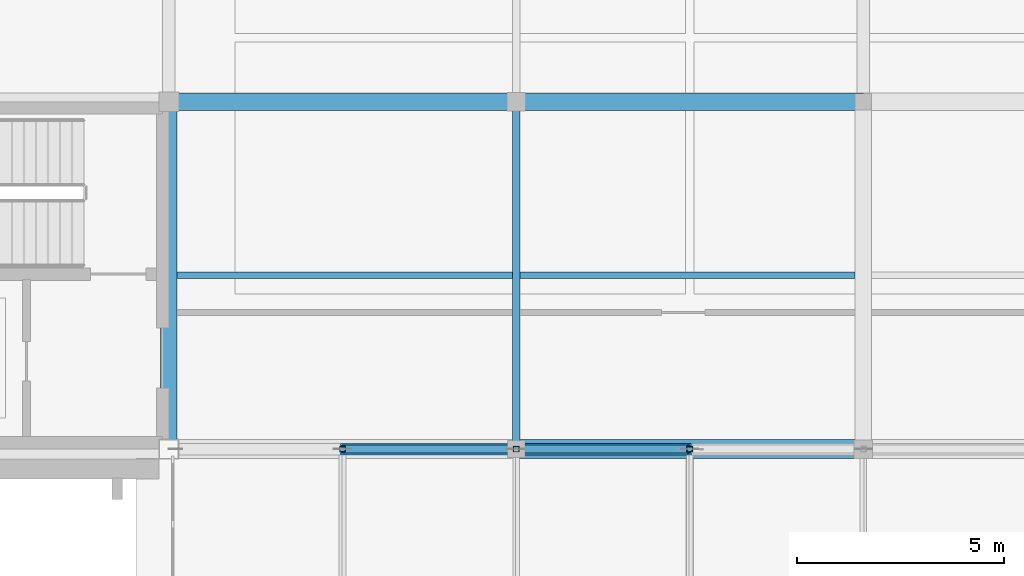
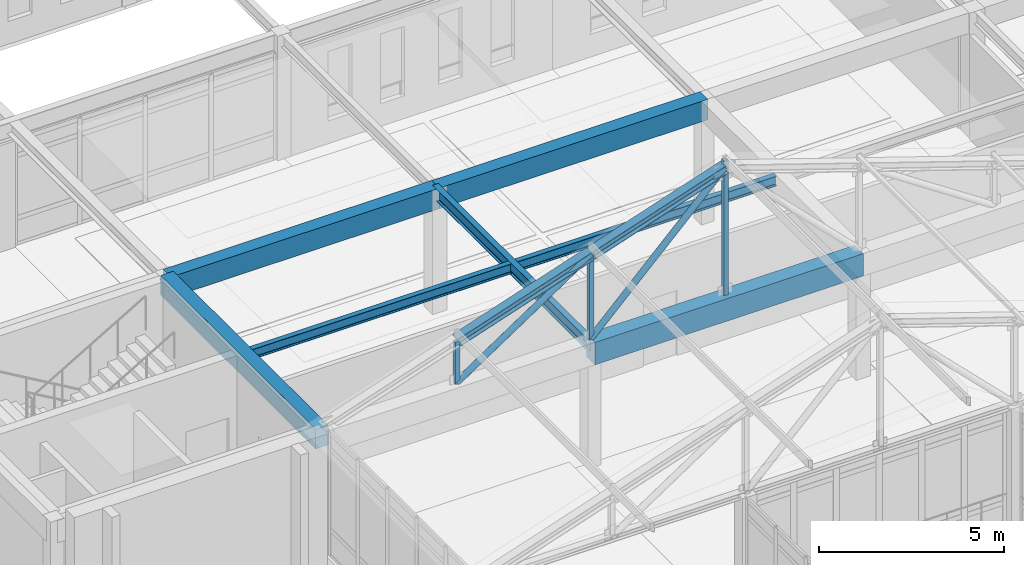
# One storey, part 82 of 192: 7 beams, 7 members.
"""IFC4 building model written with IfcOpenShell, lengths in metres."""

from ifc_helpers import new_model, si_unit, direction, frame, origin, origin_2d, place, context, subcontext, project, spatial, rectangle, hollow_rectangle, hollow_circle, i_section, extrude, material, material_profile, profile_set, type_object, element, save


model = new_model("IFC4")

# Units and contexts
model_context = context("Model", 3, precision=1e-05, world=origin(), true_north=direction((0.0, 1.0)))
body_context = subcontext(model_context, "Body", "Model", "MODEL_VIEW")
ifc_project = project(units=[si_unit("LENGTHUNIT", "METRE"), si_unit("AREAUNIT", "SQUARE_METRE"), si_unit("VOLUMEUNIT", "CUBIC_METRE"), si_unit("PLANEANGLEUNIT", "RADIAN"), si_unit("MASSUNIT", "GRAM", prefix="KILO")], contexts=[model_context])

# Site, building, storey
site_placement = place(None, origin())
site = spatial("IfcSite", under=ifc_project, at=site_placement, CompositionType="ELEMENT")
building_placement = place(site_placement, origin())
building = spatial("IfcBuilding", under=site, at=building_placement, Name="Kveldsbrygga Polytechnic", CompositionType="ELEMENT")
storey_placement = place(building_placement, frame((0.0, 0.0, 5.43994140625)))
storey = spatial("IfcBuildingStorey", under=building, at=storey_placement, Name="L01", CompositionType="ELEMENT", Elevation=5.43994140625)

# Beams
ifc_material_1 = material(Name="Concrete C35/45", Category="concrete")
ifc_material_profile_1 = material_profile(ifc_material_1, rectangle(XDim=0.39990234375, YDim=0.64990234375, at=origin_2d()), Name="RC 400x650")
ifc_profile_set_1 = profile_set([ifc_material_profile_1], Name="Concrete C35/45")
beam_type_1 = type_object("IfcBeamType", Name="BM-RC-400x650", PredefinedType="BEAM", material=ifc_profile_set_1)
beam_1_placement = place(storey_placement, frame((50.39990234375, 84.0, 3.795166015625), z_axis=(0.0, 1.0, 0.0), x_axis=(-1.0, 0.0, 0.0)))
element("IfcBeam", 1, at=beam_1_placement, inside=storey, type_object=beam_type_1, Name="Primary Beam BMY-L01-06-10to11", PredefinedType="BEAM", context=body_context, shape_type="SweptSolid", body=[
    extrude(rectangle(XDim=0.39990234375, YDim=0.64990234375, at=origin_2d()), origin(), (0.0, 0.0, 1.0), 8.39990234375),
])
ifc_material_profile_2 = material_profile(ifc_material_1, rectangle(XDim=0.419921875, YDim=0.679931640625, at=origin_2d()), Name="RC 420x680")
ifc_profile_set_2 = profile_set([ifc_material_profile_2], Name="Concrete C35/45")
beam_type_2 = type_object("IfcBeamType", Name="BM-RC-420x680", PredefinedType="BEAM", material=ifc_profile_set_2)
beam_2_placement = place(storey_placement, frame((50.39990234375, 92.39990234375, 3.780029296875), z_axis=(1.0, 0.0, 0.0), x_axis=(0.0, 1.0, 0.0)))
element("IfcBeam", 2, at=beam_2_placement, inside=storey, type_object=beam_type_2, Name="Primary Beam BMX-L01-06to07-11", PredefinedType="BEAM", context=body_context, shape_type="SweptSolid", body=[
    extrude(rectangle(XDim=0.419921875, YDim=0.679931640625, at=origin_2d()), origin(), (0.0, 0.0, 1.0), 8.400146484375),
])
beam_3_placement = place(storey_placement, frame((58.800048828125, 92.39990234375, 3.780029296875), z_axis=(1.0, 0.0, 0.0), x_axis=(0.0, 1.0, 0.0)))
element("IfcBeam", 3, at=beam_3_placement, inside=storey, type_object=beam_type_2, Name="Primary Beam BMX-L01-07to08-11", PredefinedType="BEAM", context=body_context, shape_type="SweptSolid", body=[
    extrude(rectangle(XDim=0.419921875, YDim=0.679931640625, at=origin_2d()), origin(), (0.0, 0.0, 1.0), 8.39990234375),
])
ifc_material_profile_3 = material_profile(ifc_material_1, rectangle(XDim=0.4599609375, YDim=0.739990234375, at=origin_2d()), Name="RC 460x740")
ifc_profile_set_3 = profile_set([ifc_material_profile_3], Name="Concrete C35/45")
beam_type_3 = type_object("IfcBeamType", Name="BM-RC-460x740", PredefinedType="BEAM", material=ifc_profile_set_3)
beam_4_placement = place(storey_placement, frame((58.800048828125, 84.0, 3.75), z_axis=(1.0, 0.0, 0.0), x_axis=(0.0, 1.0, 0.0)))
element("IfcBeam", 4, at=beam_4_placement, inside=storey, type_object=beam_type_3, Name="Primary Beam BMX-L01-07to08-10", PredefinedType="BEAM", context=body_context, shape_type="SweptSolid", body=[
    extrude(rectangle(XDim=0.4599609375, YDim=0.739990234375, at=origin_2d()), origin(), (0.0, 0.0, 1.0), 8.39990234375),
])
ifc_material_2 = material(Name="Steel S355", Category="steel")
ifc_material_profile_4 = material_profile(ifc_material_2, i_section(OverallWidth=0.159912109375, OverallDepth=0.330078125, WebThickness=0.007568359375, FlangeThickness=0.011474609375, FilletRadius=0.01806640625, at=origin_2d()), Name="IPE 330")
ifc_profile_set_4 = profile_set([ifc_material_profile_4], Name="Steel S355")
beam_type_4 = type_object("IfcBeamType", Name="BM-STL-IPE330", PredefinedType="JOIST", material=ifc_profile_set_4)
beam_5_placement = place(storey_placement, frame((50.60009765625, 88.199951171875, 3.955078125), z_axis=(1.0, 0.0, 0.0), x_axis=(0.0, 1.0, 0.0)))
element("IfcBeam", 5, at=beam_5_placement, inside=storey, type_object=beam_type_4, Name="Secondary Joist JST-L01-06-10", PredefinedType="JOIST", context=body_context, shape_type="SweptSolid", body=[
    extrude(i_section(OverallWidth=0.159912109375, OverallDepth=0.330078125, WebThickness=0.007568359375, FlangeThickness=0.011474609375, FilletRadius=0.01806640625, at=origin_2d()), origin(), (0.0, 0.0, 1.0), 8.10986328125),
])
beam_6_placement = place(storey_placement, frame((58.889892578125, 88.199951171875, 3.955078125), z_axis=(1.0, 0.0, 0.0), x_axis=(0.0, 1.0, 0.0)))
element("IfcBeam", 6, at=beam_6_placement, inside=storey, type_object=beam_type_4, Name="Secondary Joist JST-L01-07-10", PredefinedType="JOIST", context=body_context, shape_type="SweptSolid", body=[
    extrude(i_section(OverallWidth=0.159912109375, OverallDepth=0.330078125, WebThickness=0.007568359375, FlangeThickness=0.011474609375, FilletRadius=0.01806640625, at=origin_2d()), origin(), (0.0, 0.0, 1.0), 8.110107421875),
])
ifc_material_profile_5 = material_profile(ifc_material_2, i_section(OverallWidth=0.179931640625, OverallDepth=0.39990234375, WebThickness=0.008544921875, FlangeThickness=0.013427734375, FilletRadius=0.02099609375, at=origin_2d()), Name="IPE 400")
ifc_profile_set_5 = profile_set([ifc_material_profile_5], Name="Steel S355")
beam_type_5 = type_object("IfcBeamType", Name="BM-STL-IPE400", PredefinedType="BEAM", material=ifc_profile_set_5)
beam_7_placement = place(storey_placement, frame((58.800048828125, 84.0, 3.920166015625), z_axis=(0.0, 1.0, 0.0), x_axis=(-1.0, 0.0, 0.0)))
element("IfcBeam", 7, at=beam_7_placement, inside=storey, type_object=beam_type_5, Name="Primary Beam BMY-L01-07-10to11", PredefinedType="BEAM", context=body_context, shape_type="SweptSolid", body=[
    extrude(i_section(OverallWidth=0.179931640625, OverallDepth=0.39990234375, WebThickness=0.008544921875, FlangeThickness=0.013427734375, FilletRadius=0.02099609375, at=origin_2d()), origin(), (0.0, 0.0, 1.0), 8.39990234375),
])

# Members
ifc_material_profile_6 = material_profile(ifc_material_2, hollow_circle(Radius=0.096923828125, WallThickness=0.010009765625, at=origin_2d()), Name="CHS 193.7x10.0")
ifc_profile_set_6 = profile_set([ifc_material_profile_6], Name="Steel S355")
member_type_1 = type_object("IfcMemberType", Name="TR-DIAG-CHS194", PredefinedType="BRACE", material=ifc_profile_set_6)
member_1_placement = place(storey_placement, frame((54.60009765625, 84.0, 4.1201171875), z_axis=(0.832042853317, 0.0, 0.554711357594), x_axis=(0.0, 1.0, 0.0)))
element("IfcMember", 8, at=member_1_placement, inside=storey, type_object=member_type_1, Name="Truss Diagonal V5C-T10-DG-2", PredefinedType="BRACE", context=body_context, shape_type="SweptSolid", body=[
    extrude(hollow_circle(Radius=0.096923828125, WallThickness=0.010009765625, at=origin_2d()), origin(), (0.0, 0.0, 1.0), 5.0478515625),
])
member_2_placement = place(storey_placement, frame((58.800048828125, 84.0, 4.1201171875), z_axis=(0.707106781187, 0.0, 0.707106781187), x_axis=(0.0, 1.0, 0.0)))
element("IfcMember", 9, at=member_2_placement, inside=storey, type_object=member_type_1, Name="Truss Diagonal V5C-T10-DG-3", PredefinedType="BRACE", context=body_context, shape_type="SweptSolid", body=[
    extrude(hollow_circle(Radius=0.096923828125, WallThickness=0.010009765625, at=origin_2d()), origin(), (0.0, 0.0, 1.0), 5.939697265625),
])
ifc_material_profile_7 = material_profile(ifc_material_2, hollow_rectangle(XDim=0.139892578125, YDim=0.139892578125, WallThickness=0.008056640625, at=origin_2d()), Name="SHS 140x140x8.0")
ifc_profile_set_7 = profile_set([ifc_material_profile_7], Name="Steel S355")
member_type_2 = type_object("IfcMemberType", Name="TR-POST-SHS140", PredefinedType="STRUT", material=ifc_profile_set_7)
member_3_placement = place(storey_placement, frame((54.60009765625, 84.0, 4.1201171875), z_axis=(0.0, 0.0, 1.0), x_axis=(1.0, 0.0, 0.0)))
element("IfcMember", 10, at=member_3_placement, inside=storey, type_object=member_type_2, Name="Truss Vertical V5C-T10-VT-1", PredefinedType="STRUT", context=body_context, shape_type="SweptSolid", body=[
    extrude(hollow_rectangle(XDim=0.139892578125, YDim=0.139892578125, WallThickness=0.008056640625, at=origin_2d()), origin(), (0.0, 0.0, 1.0), 1.39990234375),
])
member_4_placement = place(storey_placement, frame((58.800048828125, 84.0, 4.1201171875), z_axis=(0.0, 0.0, 1.0), x_axis=(1.0, 0.0, 0.0)))
element("IfcMember", 11, at=member_4_placement, inside=storey, type_object=member_type_2, Name="Truss Vertical V5C-T10-VT-2", PredefinedType="STRUT", context=body_context, shape_type="SweptSolid", body=[
    extrude(hollow_rectangle(XDim=0.139892578125, YDim=0.139892578125, WallThickness=0.008056640625, at=origin_2d()), origin(), (0.0, 0.0, 1.0), 2.800048828125),
])
member_5_placement = place(storey_placement, frame((63.0, 84.0, 4.1201171875), z_axis=(0.0, 0.0, 1.0), x_axis=(1.0, 0.0, 0.0)))
element("IfcMember", 12, at=member_5_placement, inside=storey, type_object=member_type_2, Name="Truss Vertical V5C-T10-VT-3", PredefinedType="STRUT", context=body_context, shape_type="SweptSolid", body=[
    extrude(hollow_rectangle(XDim=0.139892578125, YDim=0.139892578125, WallThickness=0.008056640625, at=origin_2d()), origin(), (0.0, 0.0, 1.0), 4.452880859375),
])
ifc_material_profile_8 = material_profile(ifc_material_2, i_section(OverallWidth=0.280029296875, OverallDepth=0.280029296875, WebThickness=0.010498046875, FlangeThickness=0.01806640625, FilletRadius=0.02392578125, at=origin_2d()), Name="HEB 280")
ifc_profile_set_8 = profile_set([ifc_material_profile_8], Name="Steel S355")
member_type_3 = type_object("IfcMemberType", Name="TR-TOP-HEB280", PredefinedType="CHORD", material=ifc_profile_set_8)
member_6_placement = place(storey_placement, frame((54.60009765625, 84.0, 5.52001953125), z_axis=(0.948672268324, 0.0, 0.316260853272), x_axis=(0.0, 1.0, 0.0)))
element("IfcMember", 13, at=member_6_placement, inside=storey, type_object=member_type_3, Name="Truss Top Chord V5C-T10-TC-2", PredefinedType="CHORD", context=body_context, shape_type="SweptSolid", body=[
    extrude(i_section(OverallWidth=0.280029296875, OverallDepth=0.280029296875, WebThickness=0.010498046875, FlangeThickness=0.01806640625, FilletRadius=0.02392578125, at=origin_2d()), origin(), (0.0, 0.0, 1.0), 4.42724609375),
])
member_7_placement = place(storey_placement, frame((58.800048828125, 84.0, 6.920166015625), z_axis=(0.948688812577, 0.0, 0.316211221956), x_axis=(0.0, 1.0, 0.0)))
element("IfcMember", 14, at=member_7_placement, inside=storey, type_object=member_type_3, Name="Truss Top Chord V5C-T10-TC-3", PredefinedType="CHORD", context=body_context, shape_type="SweptSolid", body=[
    extrude(i_section(OverallWidth=0.280029296875, OverallDepth=0.280029296875, WebThickness=0.010498046875, FlangeThickness=0.01806640625, FilletRadius=0.02392578125, at=origin_2d()), origin(), (0.0, 0.0, 1.0), 4.427001953125),
])

save(model, "model.ifc")
